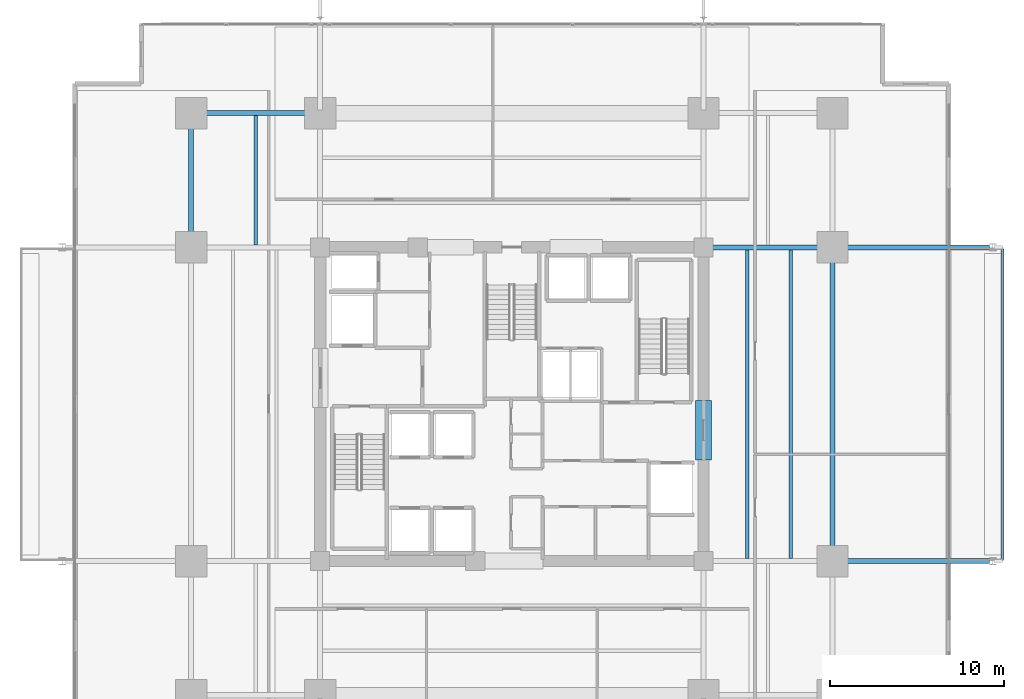
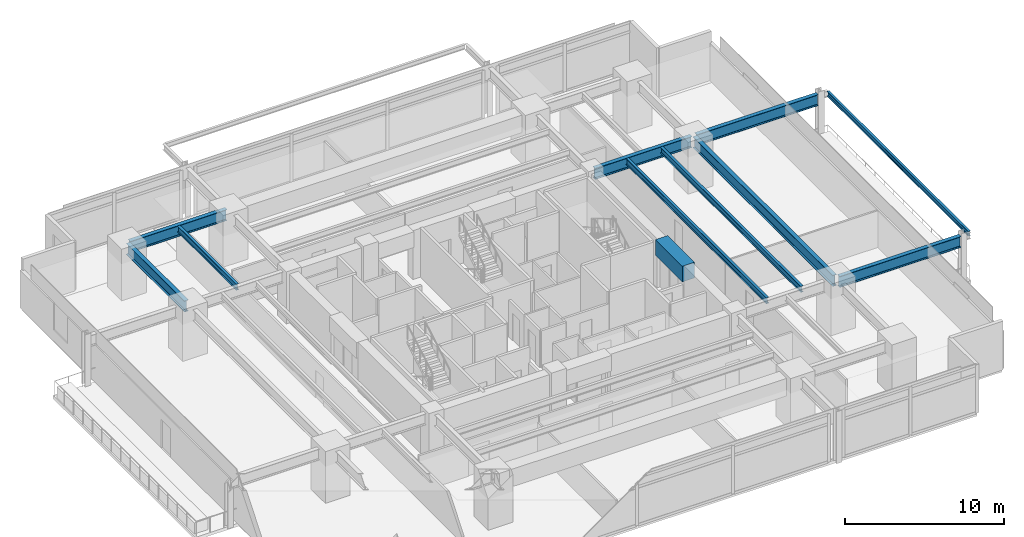
# One storey, part 6 of 20: 11 beams.
"""IFC4 building model written with IfcOpenShell, lengths in metres."""

from ifc_helpers import new_model, si_unit, direction, frame, origin, origin_2d, place, context, subcontext, project, spatial, rectangle, i_section, extrude, material, material_profile, profile_set, type_object, element, save


model = new_model("IFC4")

# Units and contexts
model_context = context("Model", 3, precision=1e-05, world=origin(), true_north=direction((0.0, 1.0)))
body_context = subcontext(model_context, "Body", "Model", "MODEL_VIEW")
ifc_project = project(units=[si_unit("LENGTHUNIT", "METRE"), si_unit("AREAUNIT", "SQUARE_METRE"), si_unit("VOLUMEUNIT", "CUBIC_METRE"), si_unit("PLANEANGLEUNIT", "RADIAN"), si_unit("MASSUNIT", "GRAM", prefix="KILO")], contexts=[model_context])

# Site, building, storey
site_placement = place(None, origin())
site = spatial("IfcSite", under=ifc_project, at=site_placement, CompositionType="ELEMENT")
building_placement = place(site_placement, origin())
building = spatial("IfcBuilding", under=site, at=building_placement, Name="Kovane Verandah Tower", CompositionType="ELEMENT")
storey_placement = place(building_placement, frame((0.0, 0.0, 35.60009765625)))
storey = spatial("IfcBuildingStorey", under=building, at=storey_placement, Name="L07", CompositionType="ELEMENT", Elevation=35.60009765625)

# Beams
ifc_material_1 = material(Name="Concrete C80/95", Category="concrete")
ifc_material_profile_1 = material_profile(ifc_material_1, rectangle(XDim=0.89990234375, YDim=1.199951171875, at=origin_2d()), Name="RCB900x1200")
ifc_profile_set_1 = profile_set([ifc_material_profile_1], Name="Concrete C80/95")
beam_type_1 = type_object("IfcBeamType", Name="BM-LINTEL-900x1200", PredefinedType="LINTEL", material=ifc_profile_set_1)
beam_1_placement = place(storey_placement, frame((51.0, 24.300048828125, 3.159912109375), z_axis=(0.0, 1.0, 0.0), x_axis=(-1.0, 0.0, 0.0)))
element("IfcBeam", 1, at=beam_1_placement, inside=storey, type_object=beam_type_1, Name="L07 Core Coupling Lintel CL-E", PredefinedType="LINTEL", context=body_context, shape_type="SweptSolid", body=[
    extrude(rectangle(XDim=0.89990234375, YDim=1.199951171875, at=origin_2d()), origin(), (0.0, 0.0, 1.0), 3.39990234375),
])
ifc_material_2 = material(Name="Steel S355", Category="steel")
ifc_material_profile_2 = material_profile(ifc_material_2, i_section(OverallWidth=0.293701171875, OverallDepth=0.850830078125, WebThickness=0.01611328125, FlangeThickness=0.02685546875, FilletRadius=0.017822265625, at=origin_2d()), Name="UB838x292x226")
ifc_profile_set_2 = profile_set([ifc_material_profile_2], Name="Steel S355")
beam_type_2 = type_object("IfcBeamType", Name="BM-UB838x226", PredefinedType="BEAM", material=ifc_profile_set_2)
beam_2_placement = place(storey_placement, frame((21.780029296875, 44.199951171875, 3.33447265625), z_axis=(1.0, 0.0, 0.0), x_axis=(0.0, 1.0, 0.0)))
element("IfcBeam", 2, at=beam_2_placement, inside=storey, type_object=beam_type_2, Name="L07 Primary Tower Girder G-RN1", PredefinedType="BEAM", context=body_context, shape_type="SweptSolid", body=[
    extrude(i_section(OverallWidth=0.293701171875, OverallDepth=0.850830078125, WebThickness=0.01611328125, FlangeThickness=0.02685546875, FilletRadius=0.017822265625, at=origin_2d()), origin(), (0.0, 0.0, 1.0), 7.0400390625),
])
beam_3_placement = place(storey_placement, frame((21.60009765625, 36.679931640625, 3.33447265625), z_axis=(0.0, 1.0, 0.0), x_axis=(-1.0, 0.0, 0.0)))
element("IfcBeam", 3, at=beam_3_placement, inside=storey, type_object=beam_type_2, Name="L07 Primary Tower Girder G-RW3", PredefinedType="BEAM", context=body_context, shape_type="SweptSolid", body=[
    extrude(i_section(OverallWidth=0.293701171875, OverallDepth=0.850830078125, WebThickness=0.01611328125, FlangeThickness=0.02685546875, FilletRadius=0.017822265625, at=origin_2d()), origin(), (0.0, 0.0, 1.0), 7.340087890625),
])
beam_4_placement = place(storey_placement, frame((58.39990234375, 18.679931640625, 3.33447265625), z_axis=(0.0, 1.0, 0.0), x_axis=(-1.0, 0.0, 0.0)))
element("IfcBeam", 4, at=beam_4_placement, inside=storey, type_object=beam_type_2, Name="L07 Primary Tower Girder G-RE2", PredefinedType="BEAM", context=body_context, shape_type="SweptSolid", body=[
    extrude(i_section(OverallWidth=0.293701171875, OverallDepth=0.850830078125, WebThickness=0.01611328125, FlangeThickness=0.02685546875, FilletRadius=0.017822265625, at=origin_2d()), origin(), (0.0, 0.0, 1.0), 17.64013671875),
])
beam_5_placement = place(storey_placement, frame((51.179931640625, 36.5, 3.33447265625), z_axis=(1.0, 0.0, 0.0), x_axis=(0.0, 1.0, 0.0)))
element("IfcBeam", 5, at=beam_5_placement, inside=storey, type_object=beam_type_2, Name="L07 Primary Tower Girder G-E2", PredefinedType="BEAM", context=body_context, shape_type="SweptSolid", body=[
    extrude(i_section(OverallWidth=0.293701171875, OverallDepth=0.850830078125, WebThickness=0.01611328125, FlangeThickness=0.02685546875, FilletRadius=0.017822265625, at=origin_2d()), origin(), (0.0, 0.0, 1.0), 7.0400390625),
])
for number, where, z_axis, x_axis, name in (
    (6, (58.580078125, 18.5, 3.33447265625), (1.0, 0.0, 0.0), (0.0, 1.0, 0.0), "L07 Primary Tower Girder G-VE1"),
    (7, (58.580078125, 36.5, 3.33447265625), (1.0, 0.0, 0.0), (0.0, 1.0, 0.0), "L07 Primary Tower Girder G-VE2"),
):
    element("IfcBeam", number, at=place(storey_placement, frame(where, z_axis=z_axis, x_axis=x_axis)), inside=storey, type_object=beam_type_2, Name=name, PredefinedType="BEAM", context=body_context, shape_type="SweptSolid", body=[
        extrude(i_section(OverallWidth=0.293701171875, OverallDepth=0.850830078125, WebThickness=0.01611328125, FlangeThickness=0.02685546875, FilletRadius=0.017822265625, at=origin_2d()), origin(), (0.0, 0.0, 1.0), 8.83984375),
    ])
ifc_material_profile_3 = material_profile(ifc_material_2, i_section(OverallWidth=0.19287109375, OverallDepth=0.46728515625, WebThickness=0.011474609375, FlangeThickness=0.01953125, FilletRadius=0.01025390625, at=origin_2d()), Name="UB457x191x98")
ifc_profile_set_3 = profile_set([ifc_material_profile_3], Name="Steel S355")
beam_type_3 = type_object("IfcBeamType", Name="JST-UB457x98", PredefinedType="JOIST", material=ifc_profile_set_3)
for number, where, z_axis, x_axis, name in (
    (8, (53.5, 18.64501953125, 3.5263671875), (0.0, 1.0, 0.0), (-1.0, 0.0, 0.0), "L07 Secondary Composite Joist J-E1"),
    (9, (56.0, 18.64501953125, 3.5263671875), (0.0, 1.0, 0.0), (-1.0, 0.0, 0.0), "L07 Secondary Composite Joist J-E2"),
):
    element("IfcBeam", number, at=place(storey_placement, frame(where, z_axis=z_axis, x_axis=x_axis)), inside=storey, type_object=beam_type_3, Name=name, PredefinedType="JOIST", context=body_context, shape_type="SweptSolid", body=[
        extrude(i_section(OverallWidth=0.19287109375, OverallDepth=0.46728515625, WebThickness=0.011474609375, FlangeThickness=0.01953125, FilletRadius=0.01025390625, at=origin_2d()), origin(), (0.0, 0.0, 1.0), 17.7099609375),
    ])
beam_6_placement = place(storey_placement, frame((25.300048828125, 36.64501953125, 3.5263671875), z_axis=(0.0, 1.0, 0.0), x_axis=(-1.0, 0.0, 0.0)))
element("IfcBeam", 10, at=beam_6_placement, inside=storey, type_object=beam_type_3, Name="L07 Secondary Composite Joist J-NW1", PredefinedType="JOIST", context=body_context, shape_type="SweptSolid", body=[
    extrude(i_section(OverallWidth=0.19287109375, OverallDepth=0.46728515625, WebThickness=0.011474609375, FlangeThickness=0.01953125, FilletRadius=0.01025390625, at=origin_2d()), origin(), (0.0, 0.0, 1.0), 7.41015625),
])
ifc_material_profile_4 = material_profile(ifc_material_2, i_section(OverallWidth=0.173095703125, OverallDepth=0.36328125, WebThickness=0.009033203125, FlangeThickness=0.015625, FilletRadius=0.01025390625, at=origin_2d()), Name="UB356x171x67")
ifc_profile_set_4 = profile_set([ifc_material_profile_4], Name="Steel S355")
beam_type_4 = type_object("IfcBeamType", Name="SPD-UB356x67", PredefinedType="USERDEFINED", material=ifc_profile_set_4)
beam_7_placement = place(storey_placement, frame((68.1533203125, 18.594482421875, 3.578125), z_axis=(0.0, 1.0, 0.0), x_axis=(-1.0, 0.0, 0.0)))
element("IfcBeam", 11, at=beam_7_placement, inside=storey, type_object=beam_type_4, Name="L07 East Planter Edge Spandrel", ObjectType="SPANDREL", PredefinedType="USERDEFINED", context=body_context, shape_type="SweptSolid", body=[
    extrude(i_section(OverallWidth=0.173095703125, OverallDepth=0.36328125, WebThickness=0.009033203125, FlangeThickness=0.015625, FilletRadius=0.01025390625, at=origin_2d()), origin(), (0.0, 0.0, 1.0), 17.81103515625),
])

save(model, "model.ifc")
